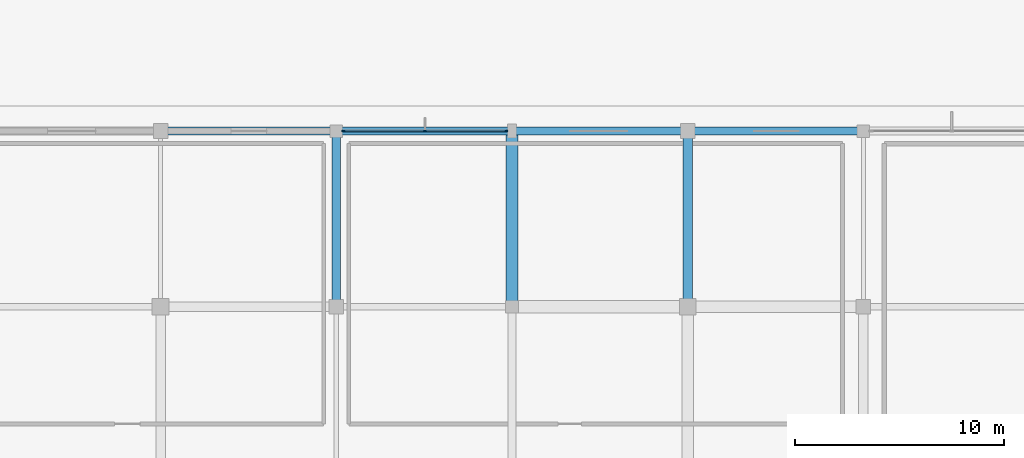
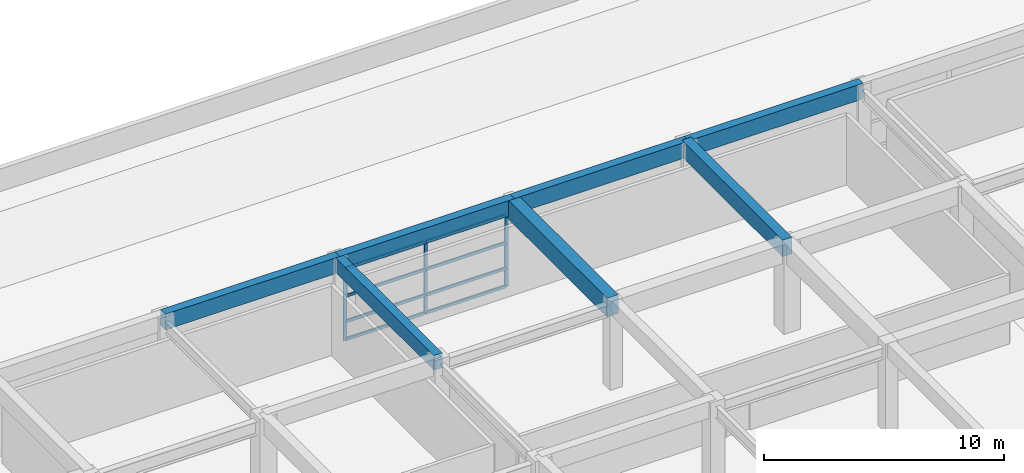
# One storey, part 23 of 60: 11 members, 7 beams, 1 element without a shape of its own.
"""IFC4 building model written with IfcOpenShell, lengths in metres."""

from ifc_helpers import new_model, si_unit, direction, frame, origin, origin_2d, place, context, subcontext, project, spatial, rectangle, extrude, material, material_profile, profile_set, type_object, element, aggregate, save


model = new_model("IFC4")

# Units and contexts
model_context = context("Model", 3, precision=1e-05, world=origin(), true_north=direction((0.0, 1.0)))
body_context = subcontext(model_context, "Body", "Model", "MODEL_VIEW")
ifc_project = project(units=[si_unit("LENGTHUNIT", "METRE"), si_unit("AREAUNIT", "SQUARE_METRE"), si_unit("VOLUMEUNIT", "CUBIC_METRE"), si_unit("PLANEANGLEUNIT", "RADIAN"), si_unit("MASSUNIT", "GRAM", prefix="KILO")], contexts=[model_context])

# Site, building, storey
site_placement = place(None, origin())
site = spatial("IfcSite", under=ifc_project, at=site_placement, CompositionType="ELEMENT")
building_placement = place(site_placement, origin())
building = spatial("IfcBuilding", under=site, at=building_placement, Name="Xuanlan Plaza Opera House", CompositionType="ELEMENT")
storey_placement = place(building_placement, frame((0.0, 0.0, 9.89990234375)))
storey = spatial("IfcBuildingStorey", under=building, at=storey_placement, Name="L02", CompositionType="ELEMENT", Elevation=9.89990234375)

# Curtain wall, members
ifc_material_1 = material(Name="Anodised Aluminium 6063-T6 and Low-E Glass", Category="aluminium")
curtain_wall_type = type_object("IfcCurtainWallType", Name="ENV-CW-CW-02", PredefinedType="USERDEFINED", material=ifc_material_1)
curtain_wall_placement = place(storey_placement, origin())
curtain_wall = element("IfcCurtainWall", 1, at=curtain_wall_placement, inside=storey, type_object=curtain_wall_type, Name="Unitised Curtain Wall L02-042", ObjectType="UNITISED CURTAIN WALL", PredefinedType="USERDEFINED")
ifc_material_2 = material(Name="Anodised Aluminium 6063-T6", Category="aluminium")
ifc_material_profile_1 = material_profile(ifc_material_2, rectangle(XDim=0.06494140625, YDim=0.159912109375, at=origin_2d()), Name="ALU-M 65x160")
ifc_profile_set_1 = profile_set([ifc_material_profile_1], Name="Anodised Aluminium 6063-T6")
member_type_1 = type_object("IfcMemberType", Name="ENV-CWM-01", PredefinedType="MULLION", material=ifc_profile_set_1)
member_1_placement = place(storey_placement, frame((50.12255859375, 100.800048828125, 0.0), z_axis=(0.0, 0.0, 1.0), x_axis=(0.0, -1.0, 0.0)))
member_1 = element("IfcMember", 2, at=member_1_placement, type_object=member_type_1, Name="CW-02 mullion 1", PredefinedType="MULLION", context=body_context, shape_type="SweptSolid", body=[
    extrude(rectangle(XDim=0.06494140625, YDim=0.159912109375, at=origin_2d()), origin(), (0.0, 0.0, 1.0), 3.68017578125),
])
member_2_placement = place(storey_placement, frame((46.237548828125, 100.800048828125, 0.0), z_axis=(0.0, 0.0, 1.0), x_axis=(0.0, -1.0, 0.0)))
member_2 = element("IfcMember", 3, at=member_2_placement, type_object=member_type_1, Name="CW-02 mullion 2", PredefinedType="MULLION", context=body_context, shape_type="SweptSolid", body=[
    extrude(rectangle(XDim=0.06494140625, YDim=0.159912109375, at=origin_2d()), origin(), (0.0, 0.0, 1.0), 3.68017578125),
])
member_3_placement = place(storey_placement, frame((42.3525390625, 100.800048828125, 0.0), z_axis=(0.0, 0.0, 1.0), x_axis=(0.0, -1.0, 0.0)))
member_3 = element("IfcMember", 4, at=member_3_placement, type_object=member_type_1, Name="CW-02 mullion 3", PredefinedType="MULLION", context=body_context, shape_type="SweptSolid", body=[
    extrude(rectangle(XDim=0.06494140625, YDim=0.159912109375, at=origin_2d()), origin(), (0.0, 0.0, 1.0), 3.68017578125),
])
ifc_material_profile_2 = material_profile(ifc_material_2, rectangle(XDim=0.074951171875, YDim=0.14990234375, at=origin_2d()), Name="ALU-T 75x150")
ifc_profile_set_2 = profile_set([ifc_material_profile_2], Name="Anodised Aluminium 6063-T6")
member_type_2 = type_object("IfcMemberType", Name="ENV-CWT-03", PredefinedType="USERDEFINED", material=ifc_profile_set_2)
member_4_placement = place(storey_placement, frame((50.090087890625, 100.800048828125, 0.03759765625), z_axis=(-1.0, 0.0, 0.0), x_axis=(0.0, -1.0, 0.0)))
member_4 = element("IfcMember", 5, at=member_4_placement, type_object=member_type_2, Name="CW-02 transom 1.1", ObjectType="TRANSOM", PredefinedType="USERDEFINED", context=body_context, shape_type="SweptSolid", body=[
    extrude(rectangle(XDim=0.074951171875, YDim=0.14990234375, at=origin_2d()), origin(), (0.0, 0.0, 1.0), 3.820068359375),
])
member_5_placement = place(storey_placement, frame((50.090087890625, 100.800048828125, 0.9501953125), z_axis=(-1.0, 0.0, 0.0), x_axis=(0.0, -1.0, 0.0)))
member_5 = element("IfcMember", 6, at=member_5_placement, type_object=member_type_2, Name="CW-02 transom 1.2", ObjectType="TRANSOM", PredefinedType="USERDEFINED", context=body_context, shape_type="SweptSolid", body=[
    extrude(rectangle(XDim=0.074951171875, YDim=0.14990234375, at=origin_2d()), origin(), (0.0, 0.0, 1.0), 3.820068359375),
])
member_6_placement = place(storey_placement, frame((50.090087890625, 100.800048828125, 2.25), z_axis=(-1.0, 0.0, 0.0), x_axis=(0.0, -1.0, 0.0)))
member_6 = element("IfcMember", 7, at=member_6_placement, type_object=member_type_2, Name="CW-02 transom 1.3", ObjectType="TRANSOM", PredefinedType="USERDEFINED", context=body_context, shape_type="SweptSolid", body=[
    extrude(rectangle(XDim=0.074951171875, YDim=0.14990234375, at=origin_2d()), origin(), (0.0, 0.0, 1.0), 3.820068359375),
])
member_7_placement = place(storey_placement, frame((50.090087890625, 100.800048828125, 3.642578125), z_axis=(-1.0, 0.0, 0.0), x_axis=(0.0, -1.0, 0.0)))
member_7 = element("IfcMember", 8, at=member_7_placement, type_object=member_type_2, Name="CW-02 transom 1.4", ObjectType="TRANSOM", PredefinedType="USERDEFINED", context=body_context, shape_type="SweptSolid", body=[
    extrude(rectangle(XDim=0.074951171875, YDim=0.14990234375, at=origin_2d()), origin(), (0.0, 0.0, 1.0), 3.820068359375),
])
member_8_placement = place(storey_placement, frame((46.205078125, 100.800048828125, 0.03759765625), z_axis=(-1.0, 0.0, 0.0), x_axis=(0.0, -1.0, 0.0)))
member_8 = element("IfcMember", 9, at=member_8_placement, type_object=member_type_2, Name="CW-02 transom 2.1", ObjectType="TRANSOM", PredefinedType="USERDEFINED", context=body_context, shape_type="SweptSolid", body=[
    extrude(rectangle(XDim=0.074951171875, YDim=0.14990234375, at=origin_2d()), origin(), (0.0, 0.0, 1.0), 3.820068359375),
])
member_9_placement = place(storey_placement, frame((46.205078125, 100.800048828125, 0.9501953125), z_axis=(-1.0, 0.0, 0.0), x_axis=(0.0, -1.0, 0.0)))
member_9 = element("IfcMember", 10, at=member_9_placement, type_object=member_type_2, Name="CW-02 transom 2.2", ObjectType="TRANSOM", PredefinedType="USERDEFINED", context=body_context, shape_type="SweptSolid", body=[
    extrude(rectangle(XDim=0.074951171875, YDim=0.14990234375, at=origin_2d()), origin(), (0.0, 0.0, 1.0), 3.820068359375),
])
member_10_placement = place(storey_placement, frame((46.205078125, 100.800048828125, 2.25), z_axis=(-1.0, 0.0, 0.0), x_axis=(0.0, -1.0, 0.0)))
member_10 = element("IfcMember", 11, at=member_10_placement, type_object=member_type_2, Name="CW-02 transom 2.3", ObjectType="TRANSOM", PredefinedType="USERDEFINED", context=body_context, shape_type="SweptSolid", body=[
    extrude(rectangle(XDim=0.074951171875, YDim=0.14990234375, at=origin_2d()), origin(), (0.0, 0.0, 1.0), 3.820068359375),
])
member_11_placement = place(storey_placement, frame((46.205078125, 100.800048828125, 3.642578125), z_axis=(-1.0, 0.0, 0.0), x_axis=(0.0, -1.0, 0.0)))
member_11 = element("IfcMember", 12, at=member_11_placement, type_object=member_type_2, Name="CW-02 transom 2.4", ObjectType="TRANSOM", PredefinedType="USERDEFINED", context=body_context, shape_type="SweptSolid", body=[
    extrude(rectangle(XDim=0.074951171875, YDim=0.14990234375, at=origin_2d()), origin(), (0.0, 0.0, 1.0), 3.820068359375),
])
aggregate(curtain_wall, [member_1, member_2, member_3, member_4, member_5, member_6, member_7, member_8, member_9, member_10, member_11])

# Beams
ifc_material_3 = material(Name="Concrete C50", Category="concrete")
ifc_material_profile_3 = material_profile(ifc_material_3, rectangle(XDim=0.550048828125, YDim=0.949951171875, at=origin_2d()), Name="RC-BM 550x950")
ifc_profile_set_3 = profile_set([ifc_material_profile_3], Name="Concrete C50")
beam_type_1 = type_object("IfcBeamType", Name="STR-BM-B-02", PredefinedType="BEAM", material=ifc_profile_set_3)
beam_1_placement = place(storey_placement, frame((50.39990234375, 92.39990234375, 4.025146484375), z_axis=(0.0, 1.0, 0.0), x_axis=(-1.0, 0.0, 0.0)))
element("IfcBeam", 13, at=beam_1_placement, inside=storey, type_object=beam_type_1, Name="Grid Beam Y L02 7/L-M", PredefinedType="BEAM", context=body_context, shape_type="SweptSolid", body=[
    extrude(rectangle(XDim=0.550048828125, YDim=0.949951171875, at=origin_2d()), origin(), (0.0, 0.0, 1.0), 8.400146484375),
])
ifc_material_4 = material(Name="Concrete C40", Category="concrete")
ifc_material_profile_4 = material_profile(ifc_material_4, rectangle(XDim=0.449951171875, YDim=0.85009765625, at=origin_2d()), Name="RC-BM 450x850")
ifc_profile_set_4 = profile_set([ifc_material_profile_4], Name="Concrete C40")
beam_type_2 = type_object("IfcBeamType", Name="STR-BM-B-04", PredefinedType="BEAM", material=ifc_profile_set_4)
beam_2_placement = place(storey_placement, frame((58.800048828125, 92.39990234375, 4.0751953125), z_axis=(0.0, 1.0, 0.0), x_axis=(-1.0, 0.0, 0.0)))
element("IfcBeam", 14, at=beam_2_placement, inside=storey, type_object=beam_type_2, Name="Grid Beam Y L02 8/L-M", PredefinedType="BEAM", context=body_context, shape_type="SweptSolid", body=[
    extrude(rectangle(XDim=0.449951171875, YDim=0.85009765625, at=origin_2d()), origin(), (0.0, 0.0, 1.0), 8.400146484375),
])
ifc_material_profile_5 = material_profile(ifc_material_4, rectangle(XDim=0.39990234375, YDim=0.75, at=origin_2d()), Name="RC-BM 400x750")
ifc_profile_set_5 = profile_set([ifc_material_profile_5], Name="Concrete C40")
beam_type_3 = type_object("IfcBeamType", Name="STR-BM-B-06", PredefinedType="BEAM", material=ifc_profile_set_5)
beam_3_placement = place(storey_placement, frame((42.0, 92.39990234375, 4.125), z_axis=(0.0, 1.0, 0.0), x_axis=(-1.0, 0.0, 0.0)))
element("IfcBeam", 15, at=beam_3_placement, inside=storey, type_object=beam_type_3, Name="Grid Beam Y L02 6/L-M", PredefinedType="BEAM", context=body_context, shape_type="SweptSolid", body=[
    extrude(rectangle(XDim=0.39990234375, YDim=0.75, at=origin_2d()), origin(), (0.0, 0.0, 1.0), 8.400146484375),
])
ifc_material_profile_6 = material_profile(ifc_material_4, rectangle(XDim=0.39990234375, YDim=0.800048828125, at=origin_2d()), Name="RC-SPD 400x800")
ifc_profile_set_6 = profile_set([ifc_material_profile_6], Name="Concrete C40")
beam_type_4 = type_object("IfcBeamType", Name="STR-BM-SP-01", PredefinedType="SPANDREL", material=ifc_profile_set_6)
for number, where, z_axis, x_axis, name in (
    (16, (33.60009765625, 100.800048828125, 4.10009765625), (1.0, 0.0, 0.0), (0.0, 1.0, 0.0), "Grid Beam X L02 5-6/M"),
    (17, (42.0, 100.800048828125, 4.10009765625), (1.0, 0.0, 0.0), (0.0, 1.0, 0.0), "Grid Beam X L02 6-7/M"),
):
    element("IfcBeam", number, at=place(storey_placement, frame(where, z_axis=z_axis, x_axis=x_axis)), inside=storey, type_object=beam_type_4, Name=name, PredefinedType="SPANDREL", context=body_context, shape_type="SweptSolid", body=[
        extrude(rectangle(XDim=0.39990234375, YDim=0.800048828125, at=origin_2d()), origin(), (0.0, 0.0, 1.0), 8.39990234375),
    ])
beam_4_placement = place(storey_placement, frame((50.39990234375, 100.800048828125, 4.10009765625), z_axis=(1.0, 0.0, 0.0), x_axis=(0.0, 1.0, 0.0)))
element("IfcBeam", 18, at=beam_4_placement, inside=storey, type_object=beam_type_4, Name="Grid Beam X L02 7-8/M", PredefinedType="SPANDREL", context=body_context, shape_type="SweptSolid", body=[
    extrude(rectangle(XDim=0.39990234375, YDim=0.800048828125, at=origin_2d()), origin(), (0.0, 0.0, 1.0), 8.400146484375),
])
beam_5_placement = place(storey_placement, frame((58.800048828125, 100.800048828125, 4.10009765625), z_axis=(1.0, 0.0, 0.0), x_axis=(0.0, 1.0, 0.0)))
element("IfcBeam", 19, at=beam_5_placement, inside=storey, type_object=beam_type_4, Name="Grid Beam X L02 8-9/M", PredefinedType="SPANDREL", context=body_context, shape_type="SweptSolid", body=[
    extrude(rectangle(XDim=0.39990234375, YDim=0.800048828125, at=origin_2d()), origin(), (0.0, 0.0, 1.0), 8.39990234375),
])

save(model, "model.ifc")
